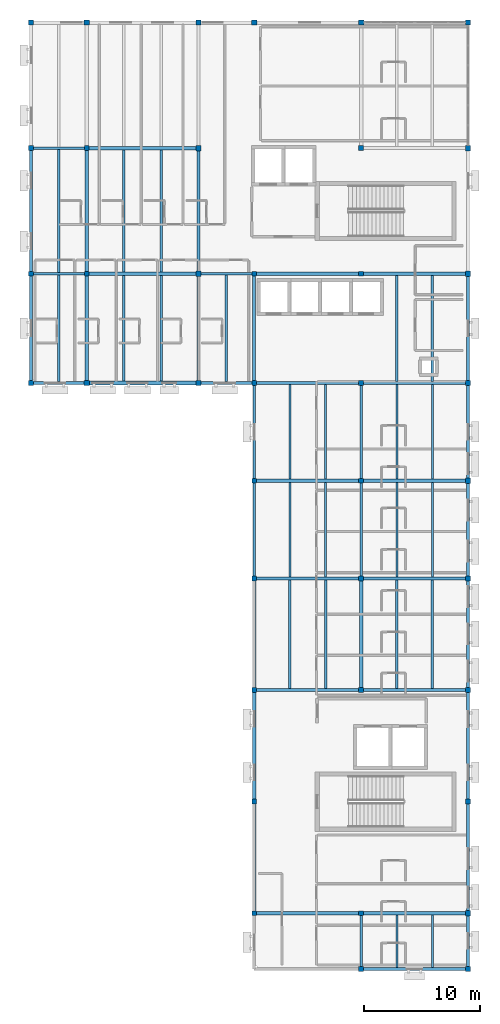
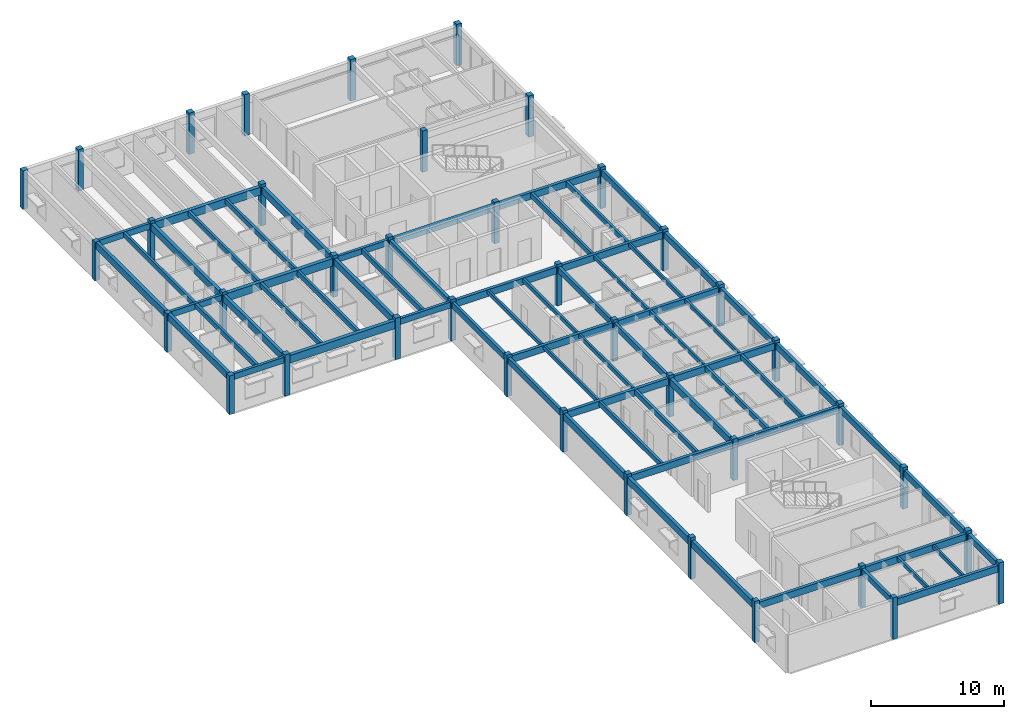
# One storey, part 1 of 14: 67 beams, 39 columns.
"""IFC4 building model written with IfcOpenShell, lengths in metres."""

import ifcopenshell
import ifcopenshell.guid

model = None  # the IFC model being written
_history = None  # IfcOwnerHistory: only IFC2X3 demands one
_inside = {}  # id of a spatial element -> (the spatial element, [elements in it])
_under = {}  # id of a project, library or spatial element -> (it, [spatial elements below it])
_declared = {}  # id of a project -> (the project, [libraries it declares])
_typed = {}  # id of a type object -> (the type object, [elements of that type])
_made_of = {}  # id of a material, layer set ... -> (it, [elements and type objects made of it])


def new_model(schema):
    """Start an empty IFC model of exactly this schema.

    Asked for "IFC4X3", IfcOpenShell would pick the latest addendum, in which some entities
    have other attributes; the version numbers below select the first issue.
    IFC2X3 requires an IfcOwnerHistory on every rooted entity: one is made here for all.
    """
    global model, _history
    if schema == "IFC4X3":
        model = ifcopenshell.file(schema_version=(4, 3, 0, 0))
    else:
        model = ifcopenshell.file(schema=schema)
    _inside.clear()
    _under.clear()
    _declared.clear()
    _typed.clear()
    _made_of.clear()
    _history = None
    if model.schema == "IFC2X3":
        org = make("IfcOrganization", Name="unknown")
        user = make(
            "IfcPersonAndOrganization",
            ThePerson=make("IfcPerson", FamilyName="unknown"),
            TheOrganization=org,
        )
        app = make(
            "IfcApplication",
            ApplicationDeveloper=org,
            Version="unknown",
            ApplicationFullName="unknown",
            ApplicationIdentifier="unknown",
        )
        _history = make(
            "IfcOwnerHistory",
            OwningUser=user,
            OwningApplication=app,
            ChangeAction="ADDED",
            CreationDate=0,
        )
    return model


def make(cls, **values):
    """One entity of the class cls with the attributes given. An attribute that is None is left unset."""
    return model.create_entity(
        cls, **{name: value for name, value in values.items() if value is not None}
    )


def rooted(cls, **values):
    """An entity with a GlobalId (a new one), such as an element, a storey or a relation."""
    return make(cls, GlobalId=ifcopenshell.guid.new(), OwnerHistory=_history, **values)


def si_unit(unit_type, name, prefix=None):
    """IfcSIUnit, for example si_unit("LENGTHUNIT", "METRE", prefix="MILLI")."""
    return make("IfcSIUnit", UnitType=unit_type, Prefix=prefix, Name=name)


def assignment(units):
    """IfcUnitAssignment: the units of a project."""
    return None if units is None else make("IfcUnitAssignment", Units=units)


def point(xyz):
    """IfcCartesianPoint."""
    return None if xyz is None else make("IfcCartesianPoint", Coordinates=xyz)


def direction(xyz):
    """IfcDirection."""
    return None if xyz is None else make("IfcDirection", DirectionRatios=xyz)


def frame(location, z_axis=None, x_axis=None):
    """IfcAxis2Placement3D, a coordinate frame: its origin and axes. An axis left out is left unset."""
    return make(
        "IfcAxis2Placement3D",
        Location=point(location),
        Axis=direction(z_axis),
        RefDirection=direction(x_axis),
    )


def frame_2d(location, x_axis=None):
    """IfcAxis2Placement2D, a coordinate frame in the plane: its origin and x axis."""
    return make(
        "IfcAxis2Placement2D", Location=point(location), RefDirection=direction(x_axis)
    )


def origin():
    """The frame at (0, 0, 0) with its axes left unset."""
    return frame((0.0, 0.0, 0.0))


def origin_2d():
    """The frame at (0, 0) in the plane with its x axis left unset."""
    return frame_2d((0.0, 0.0))


def place(relative_to, where):
    """IfcLocalPlacement: puts the frame where relative to a parent placement (None: the world)."""
    return make(
        "IfcLocalPlacement", PlacementRelTo=relative_to, RelativePlacement=where
    )


def context(
    kind, dimensions, precision=None, world=None, true_north=None, identifier=None
):
    """IfcGeometricRepresentationContext, for example the 3D "Model" context."""
    return make(
        "IfcGeometricRepresentationContext",
        ContextIdentifier=identifier,
        ContextType=kind,
        CoordinateSpaceDimension=dimensions,
        Precision=precision,
        WorldCoordinateSystem=world,
        TrueNorth=true_north,
    )


def subcontext(parent, identifier, kind, view, scale=None):
    """IfcGeometricRepresentationSubContext, for example "Body" below "Model"."""
    return make(
        "IfcGeometricRepresentationSubContext",
        ContextIdentifier=identifier,
        ContextType=kind,
        ParentContext=parent,
        TargetScale=scale,
        TargetView=view,
    )


def project(units=None, contexts=None):
    """IfcProject with its units and contexts."""
    return rooted(
        "IfcProject",
        Name="project",
        RepresentationContexts=contexts,
        UnitsInContext=assignment(units),
    )


def spatial(cls, under=None, at=None, **own):
    """A site, building, storey or space (cls), placed at a placement, below another one or the project."""
    s = rooted(cls, ObjectPlacement=at, **own)
    if under is not None:
        _under.setdefault(under.id(), (under, []))[1].append(s)
    return s


def profile(cls, at=None, kind="AREA", **sizes):
    """A parametric profile (cls). Its sizes go by their IFC names, for example OverallWidth=200.0."""
    return make(cls, ProfileType=kind, Position=at, **sizes)


def rectangle(**sizes):
    """IfcRectangleProfileDef."""
    return profile("IfcRectangleProfileDef", **sizes)


def extrude(swept, where, along, depth):
    """IfcExtrudedAreaSolid: the profile swept, set in the frame where, extruded along a direction by depth."""
    return make(
        "IfcExtrudedAreaSolid",
        SweptArea=swept,
        Position=where,
        ExtrudedDirection=direction(along),
        Depth=depth,
    )


def shape(context_of_items, identifier, shape_type, items):
    """IfcShapeRepresentation: the items that make up one representation, for example the "Body"."""
    return make(
        "IfcShapeRepresentation",
        ContextOfItems=context_of_items,
        RepresentationIdentifier=identifier,
        RepresentationType=shape_type,
        Items=items,
    )


def material(Name=None, Category=None):
    """IfcMaterial."""
    return make("IfcMaterial", Name=Name, Category=Category)


def material_profile(
    of_material, cross_section, Name=None, Category=None, Priority=None
):
    """IfcMaterialProfile: a cross section and its material."""
    return make(
        "IfcMaterialProfile",
        Name=Name,
        Material=of_material,
        Profile=cross_section,
        Priority=Priority,
        Category=Category,
    )


def profile_set(profiles, Name=None, composite=None):
    """IfcMaterialProfileSet."""
    return make(
        "IfcMaterialProfileSet",
        Name=Name,
        MaterialProfiles=profiles,
        CompositeProfile=composite,
    )


def made_of(thing, what):
    """Note that an element or type object is made of a material, layer set ...; save() writes the relation."""
    if what is not None:
        _made_of.setdefault(what.id(), (what, []))[1].append(thing)
    return thing


def type_object(cls, material=None, **own):
    """A type object (cls), such as IfcWallType, which elements share."""
    return made_of(rooted(cls, **own), material)


def element(
    cls,
    number,
    at=None,
    inside=None,
    cuts=None,
    type_object=None,
    material=None,
    context=None,
    identifier="Body",
    shape_type=None,
    held_by="IfcProductDefinitionShape",
    body=None,
    shapes=None,
    **own,
):
    """One element of the class cls, such as IfcWall. Its Tag is "e" and its number.

    at: its placement. inside: the storey or other place that contains it. cuts: it is an
    opening in that element (IfcRelVoidsElement). A single representation is given by context,
    identifier, shape_type and body (its items); several are given by shapes. held_by: the class
    of the entity that holds the representations. save() writes the other relations.
    """
    e = rooted(cls, Tag="e%d" % number, ObjectPlacement=at, **own)
    if body is not None:
        shapes = [shape(context, identifier, shape_type, body)]
    if shapes is not None:
        e.Representation = make(held_by, Representations=shapes)
    if inside is not None:
        _inside.setdefault(inside.id(), (inside, []))[1].append(e)
    if cuts is not None:
        rooted(
            "IfcRelVoidsElement", RelatingBuildingElement=cuts, RelatedOpeningElement=e
        )
    if type_object is not None:
        _typed.setdefault(type_object.id(), (type_object, []))[1].append(e)
    return made_of(e, material)


def aggregate(whole, parts):
    """IfcRelAggregates: a whole, such as a stair, and the parts it consists of."""
    return rooted("IfcRelAggregates", RelatingObject=whole, RelatedObjects=parts)


def save(model, path):
    """Write the relations noted so far, then the file.

    IfcRelAggregates (storeys below a building ...), IfcRelContainedInSpatialStructure (elements
    in a storey), IfcRelDefinesByType, IfcRelAssociatesMaterial and IfcRelDeclares: one each for
    every whole, place, type object, material and project.
    """
    for whole, parts in _under.values():
        aggregate(whole, parts)
    for where, things in _inside.values():
        rooted(
            "IfcRelContainedInSpatialStructure",
            RelatedElements=things,
            RelatingStructure=where,
        )
    for kind, things in _typed.values():
        rooted("IfcRelDefinesByType", RelatedObjects=things, RelatingType=kind)
    for what, things in _made_of.values():
        rooted("IfcRelAssociatesMaterial", RelatedObjects=things, RelatingMaterial=what)
    for by, libraries in _declared.values():
        rooted("IfcRelDeclares", RelatingContext=by, RelatedDefinitions=libraries)
    model.write(path)


model = new_model("IFC4")

# Units and contexts
model_context = context("Model", 3, precision=1e-05, world=origin(), true_north=direction((0.0, 1.0)))
body_context = subcontext(model_context, "Body", "Model", "MODEL_VIEW")
ifc_project = project(units=[si_unit("LENGTHUNIT", "METRE"), si_unit("AREAUNIT", "SQUARE_METRE"), si_unit("VOLUMEUNIT", "CUBIC_METRE"), si_unit("PLANEANGLEUNIT", "RADIAN"), si_unit("MASSUNIT", "GRAM", prefix="KILO")], contexts=[model_context])

# Site, building, storey
site_placement = place(None, origin())
site = spatial("IfcSite", under=ifc_project, at=site_placement, CompositionType="ELEMENT")
building_placement = place(site_placement, origin())
building = spatial("IfcBuilding", under=site, at=building_placement, Name="Veldera Park Congress Hotel", CompositionType="ELEMENT")
storey_placement = place(building_placement, frame((0.0, 0.0, 42.800048828125)))
storey = spatial("IfcBuildingStorey", under=building, at=storey_placement, Name="L10", CompositionType="ELEMENT", Elevation=42.800048828125)

# Columns
ifc_material = material(Name="Glulam GL28h (NDS 24F-V4)", Category="wood")
ifc_material_profile_1 = material_profile(ifc_material, rectangle(XDim=0.419921875, YDim=0.419921875, at=origin_2d()), Name="GL28h 420x420")
ifc_profile_set_1 = profile_set([ifc_material_profile_1], Name="Glulam GL28h (NDS 24F-V4)")
column_type_1 = type_object("IfcColumnType", Name="COL-GL42", PredefinedType="COLUMN", material=ifc_profile_set_1)
for number, where, z_axis, x_axis, name in (
    (1, (74.800048828125, -23.39990234375, 0.0), (0.0, 0.0, 1.0), (1.0, 0.0, 0.0), "L10 Column COL-GL42 (74.8,-23.4)"),
    (2, (74.800048828125, -18.60009765625, 0.0), (0.0, 0.0, 1.0), (1.0, 0.0, 0.0), "L10 Column COL-GL42 (74.8,-18.6)"),
    (3, (74.800048828125, 0.60009765625, 0.0), (0.0, 0.0, 1.0), (1.0, 0.0, 0.0), "L10 Column COL-GL42 (74.8,0.6)"),
    (4, (74.800048828125, 10.199951171875, 0.0), (0.0, 0.0, 1.0), (1.0, 0.0, 0.0), "L10 Column COL-GL42 (74.8,10.2)"),
    (5, (74.800048828125, 18.60009765625, 0.0), (0.0, 0.0, 1.0), (1.0, 0.0, 0.0), "L10 Column COL-GL42 (74.8,18.6)"),
    (6, (74.800048828125, 27.0, 0.0), (0.0, 0.0, 1.0), (1.0, 0.0, 0.0), "L10 Column COL-GL42 (74.8,27.0)"),
    (7, (74.800048828125, 36.39990234375, 0.0), (0.0, 0.0, 1.0), (1.0, 0.0, 0.0), "L10 Column COL-GL42 (74.8,36.4)"),
    (8, (74.800048828125, 47.199951171875, 0.0), (0.0, 0.0, 1.0), (1.0, 0.0, 0.0), "L10 Column COL-GL42 (74.8,47.2)"),
    (9, (65.60009765625, -18.60009765625, 0.0), (0.0, 0.0, 1.0), (1.0, 0.0, 0.0), "L10 Column COL-GL42 (65.6,-18.6)"),
    (10, (65.60009765625, -9.0, 0.0), (0.0, 0.0, 1.0), (1.0, 0.0, 0.0), "L10 Column COL-GL42 (65.6,-9.0)"),
    (11, (65.60009765625, 0.60009765625, 0.0), (0.0, 0.0, 1.0), (1.0, 0.0, 0.0), "L10 Column COL-GL42 (65.6,0.6)"),
    (12, (65.60009765625, 10.199951171875, 0.0), (0.0, 0.0, 1.0), (1.0, 0.0, 0.0), "L10 Column COL-GL42 (65.6,10.2)"),
    (13, (65.60009765625, 18.60009765625, 0.0), (0.0, 0.0, 1.0), (1.0, 0.0, 0.0), "L10 Column COL-GL42 (65.6,18.6)"),
    (14, (65.60009765625, 27.0, 0.0), (0.0, 0.0, 1.0), (1.0, 0.0, 0.0), "L10 Column COL-GL42 (65.6,27.0)"),
    (15, (65.60009765625, 36.39990234375, 0.0), (0.0, 0.0, 1.0), (1.0, 0.0, 0.0), "L10 Column COL-GL42 (65.6,36.4)"),
):
    element("IfcColumn", number, at=place(storey_placement, frame(where, z_axis=z_axis, x_axis=x_axis)), inside=storey, type_object=column_type_1, Name=name, PredefinedType="COLUMN", context=body_context, shape_type="SweptSolid", body=[
        extrude(rectangle(XDim=0.419921875, YDim=0.419921875, at=origin_2d()), origin(), (0.0, 0.0, 1.0), 3.800048828125),
    ])
for number, where, z_axis, x_axis, name in (
    (16, (46.39990234375, 36.39990234375, 0.0), (0.0, 0.0, 1.0), (1.0, 0.0, 0.0), "L10 Column COL-GL42 (46.4,36.4)"),
    (17, (46.39990234375, 47.199951171875, 0.0), (0.0, 0.0, 1.0), (1.0, 0.0, 0.0), "L10 Column COL-GL42 (46.4,47.2)"),
):
    element("IfcColumn", number, at=place(storey_placement, frame(where, z_axis=z_axis, x_axis=x_axis)), inside=storey, type_object=column_type_1, Name=name, PredefinedType="COLUMN", context=body_context, shape_type="SweptSolid", body=[
        extrude(rectangle(XDim=0.419921875, YDim=0.419921875, at=origin_2d()), origin(), (0.0, 0.0, 1.0), 3.5400390625),
    ])
for number, where, z_axis, x_axis, name in (
    (18, (51.199951171875, 36.39990234375, 0.0), (0.0, 0.0, 1.0), (1.0, 0.0, 0.0), "L10 Column COL-GL42 (51.2,36.4)"),
    (19, (51.199951171875, 47.199951171875, 0.0), (0.0, 0.0, 1.0), (1.0, 0.0, 0.0), "L10 Column COL-GL42 (51.2,47.2)"),
):
    element("IfcColumn", number, at=place(storey_placement, frame(where, z_axis=z_axis, x_axis=x_axis)), inside=storey, type_object=column_type_1, Name=name, PredefinedType="COLUMN", context=body_context, shape_type="SweptSolid", body=[
        extrude(rectangle(XDim=0.419921875, YDim=0.419921875, at=origin_2d()), origin(), (0.0, 0.0, 1.0), 3.800048828125),
    ])
ifc_material_profile_2 = material_profile(ifc_material, rectangle(XDim=0.449951171875, YDim=0.449951171875, at=origin_2d()), Name="GL28h 450x450")
ifc_profile_set_2 = profile_set([ifc_material_profile_2], Name="Glulam GL28h (NDS 24F-V4)")
column_type_2 = type_object("IfcColumnType", Name="COL-GL42E", PredefinedType="COLUMN", material=ifc_profile_set_2)
for number, where, z_axis, x_axis, name in (
    (20, (60.800048828125, 27.0, 0.0), (0.0, 0.0, 1.0), (1.0, 0.0, 0.0), "L10 Column COL-GL42E (60.8,27.0)"),
    (21, (60.800048828125, 36.39990234375, 0.0), (0.0, 0.0, 1.0), (1.0, 0.0, 0.0), "L10 Column COL-GL42E (60.8,36.4)"),
    (22, (60.800048828125, 47.199951171875, 0.0), (0.0, 0.0, 1.0), (1.0, 0.0, 0.0), "L10 Column COL-GL42E (60.8,47.2)"),
    (23, (60.800048828125, 58.0, 0.0), (0.0, 0.0, 1.0), (1.0, 0.0, 0.0), "L10 Column COL-GL42E (60.8,58.0)"),
    (24, (74.800048828125, 58.0, 0.0), (0.0, 0.0, 1.0), (1.0, 0.0, 0.0), "L10 Column COL-GL42E (74.8,58.0)"),
    (25, (84.0, -23.39990234375, 0.0), (0.0, 0.0, 1.0), (1.0, 0.0, 0.0), "L10 Column COL-GL42E (84.0,-23.4)"),
    (26, (84.0, -18.60009765625, 0.0), (0.0, 0.0, 1.0), (1.0, 0.0, 0.0), "L10 Column COL-GL42E (84.0,-18.6)"),
    (27, (84.0, -9.0, 0.0), (0.0, 0.0, 1.0), (1.0, 0.0, 0.0), "L10 Column COL-GL42E (84.0,-9.0)"),
    (28, (84.0, 0.60009765625, 0.0), (0.0, 0.0, 1.0), (1.0, 0.0, 0.0), "L10 Column COL-GL42E (84.0,0.6)"),
    (29, (84.0, 10.199951171875, 0.0), (0.0, 0.0, 1.0), (1.0, 0.0, 0.0), "L10 Column COL-GL42E (84.0,10.2)"),
    (30, (84.0, 18.60009765625, 0.0), (0.0, 0.0, 1.0), (1.0, 0.0, 0.0), "L10 Column COL-GL42E (84.0,18.6)"),
    (31, (84.0, 27.0, 0.0), (0.0, 0.0, 1.0), (1.0, 0.0, 0.0), "L10 Column COL-GL42E (84.0,27.0)"),
    (32, (84.0, 36.39990234375, 0.0), (0.0, 0.0, 1.0), (1.0, 0.0, 0.0), "L10 Column COL-GL42E (84.0,36.4)"),
    (33, (84.0, 47.199951171875, 0.0), (0.0, 0.0, 1.0), (1.0, 0.0, 0.0), "L10 Column COL-GL42E (84.0,47.2)"),
    (34, (84.0, 58.0, 0.0), (0.0, 0.0, 1.0), (1.0, 0.0, 0.0), "L10 Column COL-GL42E (84.0,58.0)"),
    (35, (65.60009765625, 58.0, 0.0), (0.0, 0.0, 1.0), (1.0, 0.0, 0.0), "L10 Column COL-GL42E (65.6,58.0)"),
):
    element("IfcColumn", number, at=place(storey_placement, frame(where, z_axis=z_axis, x_axis=x_axis)), inside=storey, type_object=column_type_2, Name=name, PredefinedType="COLUMN", context=body_context, shape_type="SweptSolid", body=[
        extrude(rectangle(XDim=0.449951171875, YDim=0.449951171875, at=origin_2d()), origin(), (0.0, 0.0, 1.0), 3.800048828125),
    ])
for number, where, z_axis, x_axis, name in (
    (36, (46.39990234375, 27.0, 0.0), (0.0, 0.0, 1.0), (1.0, 0.0, 0.0), "L10 Column COL-GL42E (46.4,27.0)"),
    (37, (46.39990234375, 58.0, 0.0), (0.0, 0.0, 1.0), (1.0, 0.0, 0.0), "L10 Column COL-GL42E (46.4,58.0)"),
):
    element("IfcColumn", number, at=place(storey_placement, frame(where, z_axis=z_axis, x_axis=x_axis)), inside=storey, type_object=column_type_2, Name=name, PredefinedType="COLUMN", context=body_context, shape_type="SweptSolid", body=[
        extrude(rectangle(XDim=0.449951171875, YDim=0.449951171875, at=origin_2d()), origin(), (0.0, 0.0, 1.0), 3.5400390625),
    ])
for number, where, z_axis, x_axis, name in (
    (38, (51.199951171875, 27.0, 0.0), (0.0, 0.0, 1.0), (1.0, 0.0, 0.0), "L10 Column COL-GL42E (51.2,27.0)"),
    (39, (51.199951171875, 58.0, 0.0), (0.0, 0.0, 1.0), (1.0, 0.0, 0.0), "L10 Column COL-GL42E (51.2,58.0)"),
):
    element("IfcColumn", number, at=place(storey_placement, frame(where, z_axis=z_axis, x_axis=x_axis)), inside=storey, type_object=column_type_2, Name=name, PredefinedType="COLUMN", context=body_context, shape_type="SweptSolid", body=[
        extrude(rectangle(XDim=0.449951171875, YDim=0.449951171875, at=origin_2d()), origin(), (0.0, 0.0, 1.0), 3.800048828125),
    ])

# Beams
ifc_material_profile_3 = material_profile(ifc_material, rectangle(XDim=0.239990234375, YDim=0.5400390625, at=origin_2d()), Name="GL28h 240x540")
ifc_profile_set_3 = profile_set([ifc_material_profile_3], Name="Glulam GL28h (NDS 24F-V4)")
beam_type_1 = type_object("IfcBeamType", Name="BM-GL540", PredefinedType="BEAM", material=ifc_profile_set_3)
beam_1_placement = place(storey_placement, frame((46.625, 27.0, 3.27001953125), z_axis=(1.0, 0.0, 0.0), x_axis=(0.0, 1.0, 0.0)))
element("IfcBeam", 40, at=beam_1_placement, inside=storey, type_object=beam_type_1, Name="L10 Girder BM-GL540 1922", PredefinedType="BEAM", context=body_context, shape_type="SweptSolid", body=[
    extrude(rectangle(XDim=0.239990234375, YDim=0.5400390625, at=origin_2d()), origin(), (0.0, 0.0, 1.0), 4.35009765625),
])
beam_2_placement = place(storey_placement, frame((61.02490234375, 27.0, 3.27001953125), z_axis=(1.0, 0.0, 0.0), x_axis=(0.0, 1.0, 0.0)))
element("IfcBeam", 41, at=beam_2_placement, inside=storey, type_object=beam_type_1, Name="L10 Girder BM-GL540 1924", PredefinedType="BEAM", context=body_context, shape_type="SweptSolid", body=[
    extrude(rectangle(XDim=0.239990234375, YDim=0.5400390625, at=origin_2d()), origin(), (0.0, 0.0, 1.0), 4.364990234375),
])
beam_3_placement = place(storey_placement, frame((46.610107421875, 36.39990234375, 3.27001953125), z_axis=(1.0, 0.0, 0.0), x_axis=(0.0, 1.0, 0.0)))
element("IfcBeam", 42, at=beam_3_placement, inside=storey, type_object=beam_type_1, Name="L10 Girder BM-GL540 1927", PredefinedType="BEAM", context=body_context, shape_type="SweptSolid", body=[
    extrude(rectangle(XDim=0.239990234375, YDim=0.5400390625, at=origin_2d()), origin(), (0.0, 0.0, 1.0), 4.3798828125),
])
beam_4_placement = place(storey_placement, frame((61.02490234375, 36.39990234375, 3.27001953125), z_axis=(1.0, 0.0, 0.0), x_axis=(0.0, 1.0, 0.0)))
element("IfcBeam", 43, at=beam_4_placement, inside=storey, type_object=beam_type_1, Name="L10 Girder BM-GL540 1929", PredefinedType="BEAM", context=body_context, shape_type="SweptSolid", body=[
    extrude(rectangle(XDim=0.239990234375, YDim=0.5400390625, at=origin_2d()), origin(), (0.0, 0.0, 1.0), 4.364990234375),
])
beam_5_placement = place(storey_placement, frame((46.610107421875, 47.199951171875, 3.27001953125), z_axis=(1.0, 0.0, 0.0), x_axis=(0.0, 1.0, 0.0)))
element("IfcBeam", 44, at=beam_5_placement, inside=storey, type_object=beam_type_1, Name="L10 Girder BM-GL540 1932", PredefinedType="BEAM", context=body_context, shape_type="SweptSolid", body=[
    extrude(rectangle(XDim=0.239990234375, YDim=0.5400390625, at=origin_2d()), origin(), (0.0, 0.0, 1.0), 4.3798828125),
])
for number, where, z_axis, x_axis, name in (
    (45, (65.60009765625, 10.409912109375, 3.27001953125), (0.0, 1.0, 0.0), (-1.0, 0.0, 0.0), "L10 Girder BM-GL540 1952"),
    (46, (65.60009765625, 18.81005859375, 3.27001953125), (0.0, 1.0, 0.0), (-1.0, 0.0, 0.0), "L10 Girder BM-GL540 1953"),
):
    element("IfcBeam", number, at=place(storey_placement, frame(where, z_axis=z_axis, x_axis=x_axis)), inside=storey, type_object=beam_type_1, Name=name, PredefinedType="BEAM", context=body_context, shape_type="SweptSolid", body=[
        extrude(rectangle(XDim=0.239990234375, YDim=0.5400390625, at=origin_2d()), origin(), (0.0, 0.0, 1.0), 7.97998046875),
    ])
beam_6_placement = place(storey_placement, frame((74.800048828125, -23.18994140625, 3.27001953125), z_axis=(0.0, 1.0, 0.0), x_axis=(-1.0, 0.0, 0.0)))
element("IfcBeam", 47, at=beam_6_placement, inside=storey, type_object=beam_type_1, Name="L10 Girder BM-GL540 1955", PredefinedType="BEAM", context=body_context, shape_type="SweptSolid", body=[
    extrude(rectangle(XDim=0.239990234375, YDim=0.5400390625, at=origin_2d()), origin(), (0.0, 0.0, 1.0), 4.3798828125),
])
for number, where, z_axis, x_axis, name in (
    (48, (74.800048828125, 10.409912109375, 3.27001953125), (0.0, 1.0, 0.0), (-1.0, 0.0, 0.0), "L10 Girder BM-GL540 1957"),
    (49, (74.800048828125, 18.81005859375, 3.27001953125), (0.0, 1.0, 0.0), (-1.0, 0.0, 0.0), "L10 Girder BM-GL540 1958"),
):
    element("IfcBeam", number, at=place(storey_placement, frame(where, z_axis=z_axis, x_axis=x_axis)), inside=storey, type_object=beam_type_1, Name=name, PredefinedType="BEAM", context=body_context, shape_type="SweptSolid", body=[
        extrude(rectangle(XDim=0.239990234375, YDim=0.5400390625, at=origin_2d()), origin(), (0.0, 0.0, 1.0), 7.97998046875),
    ])
ifc_material_profile_4 = material_profile(ifc_material, rectangle(XDim=0.264892578125, YDim=0.580078125, at=origin_2d()), Name="GL28h 265x580")
ifc_profile_set_4 = profile_set([ifc_material_profile_4], Name="Glulam GL28h (NDS 24F-V4)")
beam_type_2 = type_object("IfcBeamType", Name="BM-GL540E", PredefinedType="BEAM", material=ifc_profile_set_4)
beam_7_placement = place(storey_placement, frame((84.0, -23.175048828125, 3.25), z_axis=(0.0, 1.0, 0.0), x_axis=(-1.0, 0.0, 0.0)))
element("IfcBeam", 50, at=beam_7_placement, inside=storey, type_object=beam_type_2, Name="L10 Girder BM-GL540E 1960", PredefinedType="BEAM", context=body_context, shape_type="SweptSolid", body=[
    extrude(rectangle(XDim=0.264892578125, YDim=0.580078125, at=origin_2d()), origin(), (0.0, 0.0, 1.0), 4.35009765625),
])
for number, where, z_axis, x_axis, name in (
    (51, (84.0, -18.375, 3.25), (0.0, 1.0, 0.0), (-1.0, 0.0, 0.0), "L10 Girder BM-GL540E 1961"),
    (52, (84.0, -8.77490234375, 3.25), (0.0, 1.0, 0.0), (-1.0, 0.0, 0.0), "L10 Girder BM-GL540E 1962"),
):
    element("IfcBeam", number, at=place(storey_placement, frame(where, z_axis=z_axis, x_axis=x_axis)), inside=storey, type_object=beam_type_2, Name=name, PredefinedType="BEAM", context=body_context, shape_type="SweptSolid", body=[
        extrude(rectangle(XDim=0.264892578125, YDim=0.580078125, at=origin_2d()), origin(), (0.0, 0.0, 1.0), 9.14990234375),
    ])
beam_8_placement = place(storey_placement, frame((84.0, 0.824951171875, 3.25), z_axis=(0.0, 1.0, 0.0), x_axis=(-1.0, 0.0, 0.0)))
element("IfcBeam", 53, at=beam_8_placement, inside=storey, type_object=beam_type_2, Name="L10 Girder BM-GL540E 1963", PredefinedType="BEAM", context=body_context, shape_type="SweptSolid", body=[
    extrude(rectangle(XDim=0.264892578125, YDim=0.580078125, at=origin_2d()), origin(), (0.0, 0.0, 1.0), 9.150146484375),
])
for number, where, z_axis, x_axis, name in (
    (54, (84.0, 10.425048828125, 3.25), (0.0, 1.0, 0.0), (-1.0, 0.0, 0.0), "L10 Girder BM-GL540E 1964"),
    (55, (84.0, 18.824951171875, 3.25), (0.0, 1.0, 0.0), (-1.0, 0.0, 0.0), "L10 Girder BM-GL540E 1965"),
):
    element("IfcBeam", number, at=place(storey_placement, frame(where, z_axis=z_axis, x_axis=x_axis)), inside=storey, type_object=beam_type_2, Name=name, PredefinedType="BEAM", context=body_context, shape_type="SweptSolid", body=[
        extrude(rectangle(XDim=0.264892578125, YDim=0.580078125, at=origin_2d()), origin(), (0.0, 0.0, 1.0), 7.949951171875),
    ])
beam_9_placement = place(storey_placement, frame((84.0, 27.22509765625, 3.25), z_axis=(0.0, 1.0, 0.0), x_axis=(-1.0, 0.0, 0.0)))
element("IfcBeam", 56, at=beam_9_placement, inside=storey, type_object=beam_type_2, Name="L10 Girder BM-GL540E 1966", PredefinedType="BEAM", context=body_context, shape_type="SweptSolid", body=[
    extrude(rectangle(XDim=0.264892578125, YDim=0.580078125, at=origin_2d()), origin(), (0.0, 0.0, 1.0), 8.949951171875),
])
ifc_material_profile_5 = material_profile(ifc_material, rectangle(XDim=0.264892578125, YDim=0.6201171875, at=origin_2d()), Name="GL28h 265x620")
ifc_profile_set_5 = profile_set([ifc_material_profile_5], Name="Glulam GL28h (NDS 24F-V4)")
beam_type_3 = type_object("IfcBeamType", Name="BM-GL620", PredefinedType="BEAM", material=ifc_profile_set_5)
beam_10_placement = place(storey_placement, frame((75.010009765625, -23.39990234375, 3.22998046875), z_axis=(1.0, 0.0, 0.0), x_axis=(0.0, 1.0, 0.0)))
element("IfcBeam", 57, at=beam_10_placement, inside=storey, type_object=beam_type_3, Name="L10 Girder BM-GL620 1913", PredefinedType="BEAM", context=body_context, shape_type="SweptSolid", body=[
    extrude(rectangle(XDim=0.264892578125, YDim=0.6201171875, at=origin_2d()), origin(), (0.0, 0.0, 1.0), 8.764892578125),
])
beam_11_placement = place(storey_placement, frame((65.81005859375, -18.60009765625, 3.22998046875), z_axis=(1.0, 0.0, 0.0), x_axis=(0.0, 1.0, 0.0)))
element("IfcBeam", 58, at=beam_11_placement, inside=storey, type_object=beam_type_3, Name="L10 Girder BM-GL620 1914", PredefinedType="BEAM", context=body_context, shape_type="SweptSolid", body=[
    extrude(rectangle(XDim=0.264892578125, YDim=0.6201171875, at=origin_2d()), origin(), (0.0, 0.0, 1.0), 8.780029296875),
])
beam_12_placement = place(storey_placement, frame((75.010009765625, -18.60009765625, 3.22998046875), z_axis=(1.0, 0.0, 0.0), x_axis=(0.0, 1.0, 0.0)))
element("IfcBeam", 59, at=beam_12_placement, inside=storey, type_object=beam_type_3, Name="L10 Girder BM-GL620 1915", PredefinedType="BEAM", context=body_context, shape_type="SweptSolid", body=[
    extrude(rectangle(XDim=0.264892578125, YDim=0.6201171875, at=origin_2d()), origin(), (0.0, 0.0, 1.0), 8.764892578125),
])
beam_13_placement = place(storey_placement, frame((65.81005859375, 0.60009765625, 3.22998046875), z_axis=(1.0, 0.0, 0.0), x_axis=(0.0, 1.0, 0.0)))
element("IfcBeam", 60, at=beam_13_placement, inside=storey, type_object=beam_type_3, Name="L10 Girder BM-GL620 1916", PredefinedType="BEAM", context=body_context, shape_type="SweptSolid", body=[
    extrude(rectangle(XDim=0.264892578125, YDim=0.6201171875, at=origin_2d()), origin(), (0.0, 0.0, 1.0), 8.780029296875),
])
beam_14_placement = place(storey_placement, frame((75.010009765625, 0.60009765625, 3.22998046875), z_axis=(1.0, 0.0, 0.0), x_axis=(0.0, 1.0, 0.0)))
element("IfcBeam", 61, at=beam_14_placement, inside=storey, type_object=beam_type_3, Name="L10 Girder BM-GL620 1917", PredefinedType="BEAM", context=body_context, shape_type="SweptSolid", body=[
    extrude(rectangle(XDim=0.264892578125, YDim=0.6201171875, at=origin_2d()), origin(), (0.0, 0.0, 1.0), 8.764892578125),
])
beam_15_placement = place(storey_placement, frame((65.81005859375, 10.199951171875, 3.22998046875), z_axis=(1.0, 0.0, 0.0), x_axis=(0.0, 1.0, 0.0)))
element("IfcBeam", 62, at=beam_15_placement, inside=storey, type_object=beam_type_3, Name="L10 Girder BM-GL620 1918", PredefinedType="BEAM", context=body_context, shape_type="SweptSolid", body=[
    extrude(rectangle(XDim=0.264892578125, YDim=0.6201171875, at=origin_2d()), origin(), (0.0, 0.0, 1.0), 8.780029296875),
])
beam_16_placement = place(storey_placement, frame((75.010009765625, 10.199951171875, 3.22998046875), z_axis=(1.0, 0.0, 0.0), x_axis=(0.0, 1.0, 0.0)))
element("IfcBeam", 63, at=beam_16_placement, inside=storey, type_object=beam_type_3, Name="L10 Girder BM-GL620 1919", PredefinedType="BEAM", context=body_context, shape_type="SweptSolid", body=[
    extrude(rectangle(XDim=0.264892578125, YDim=0.6201171875, at=origin_2d()), origin(), (0.0, 0.0, 1.0), 8.764892578125),
])
beam_17_placement = place(storey_placement, frame((65.81005859375, 18.60009765625, 3.22998046875), z_axis=(1.0, 0.0, 0.0), x_axis=(0.0, 1.0, 0.0)))
element("IfcBeam", 64, at=beam_17_placement, inside=storey, type_object=beam_type_3, Name="L10 Girder BM-GL620 1920", PredefinedType="BEAM", context=body_context, shape_type="SweptSolid", body=[
    extrude(rectangle(XDim=0.264892578125, YDim=0.6201171875, at=origin_2d()), origin(), (0.0, 0.0, 1.0), 8.780029296875),
])
beam_18_placement = place(storey_placement, frame((75.010009765625, 18.60009765625, 3.22998046875), z_axis=(1.0, 0.0, 0.0), x_axis=(0.0, 1.0, 0.0)))
element("IfcBeam", 65, at=beam_18_placement, inside=storey, type_object=beam_type_3, Name="L10 Girder BM-GL620 1921", PredefinedType="BEAM", context=body_context, shape_type="SweptSolid", body=[
    extrude(rectangle(XDim=0.264892578125, YDim=0.6201171875, at=origin_2d()), origin(), (0.0, 0.0, 1.0), 8.764892578125),
])
beam_19_placement = place(storey_placement, frame((65.81005859375, 27.0, 3.22998046875), z_axis=(1.0, 0.0, 0.0), x_axis=(0.0, 1.0, 0.0)))
element("IfcBeam", 66, at=beam_19_placement, inside=storey, type_object=beam_type_3, Name="L10 Girder BM-GL620 1925", PredefinedType="BEAM", context=body_context, shape_type="SweptSolid", body=[
    extrude(rectangle(XDim=0.264892578125, YDim=0.6201171875, at=origin_2d()), origin(), (0.0, 0.0, 1.0), 8.780029296875),
])
beam_20_placement = place(storey_placement, frame((75.010009765625, 27.0, 3.22998046875), z_axis=(1.0, 0.0, 0.0), x_axis=(0.0, 1.0, 0.0)))
element("IfcBeam", 67, at=beam_20_placement, inside=storey, type_object=beam_type_3, Name="L10 Girder BM-GL620 1926", PredefinedType="BEAM", context=body_context, shape_type="SweptSolid", body=[
    extrude(rectangle(XDim=0.264892578125, YDim=0.6201171875, at=origin_2d()), origin(), (0.0, 0.0, 1.0), 8.764892578125),
])
beam_21_placement = place(storey_placement, frame((65.81005859375, 36.39990234375, 3.22998046875), z_axis=(1.0, 0.0, 0.0), x_axis=(0.0, 1.0, 0.0)))
element("IfcBeam", 68, at=beam_21_placement, inside=storey, type_object=beam_type_3, Name="L10 Girder BM-GL620 1930", PredefinedType="BEAM", context=body_context, shape_type="SweptSolid", body=[
    extrude(rectangle(XDim=0.264892578125, YDim=0.6201171875, at=origin_2d()), origin(), (0.0, 0.0, 1.0), 8.780029296875),
])
beam_22_placement = place(storey_placement, frame((75.010009765625, 36.39990234375, 3.22998046875), z_axis=(1.0, 0.0, 0.0), x_axis=(0.0, 1.0, 0.0)))
element("IfcBeam", 69, at=beam_22_placement, inside=storey, type_object=beam_type_3, Name="L10 Girder BM-GL620 1931", PredefinedType="BEAM", context=body_context, shape_type="SweptSolid", body=[
    extrude(rectangle(XDim=0.264892578125, YDim=0.6201171875, at=origin_2d()), origin(), (0.0, 0.0, 1.0), 8.764892578125),
])
for number, where, z_axis, x_axis, name in (
    (70, (46.39990234375, 27.22509765625, 3.22998046875), (0.0, 1.0, 0.0), (-1.0, 0.0, 0.0), "L10 Girder BM-GL620 1940"),
    (71, (51.199951171875, 27.22509765625, 3.22998046875), (0.0, 1.0, 0.0), (-1.0, 0.0, 0.0), "L10 Girder BM-GL620 1943"),
):
    element("IfcBeam", number, at=place(storey_placement, frame(where, z_axis=z_axis, x_axis=x_axis)), inside=storey, type_object=beam_type_3, Name=name, PredefinedType="BEAM", context=body_context, shape_type="SweptSolid", body=[
        extrude(rectangle(XDim=0.264892578125, YDim=0.6201171875, at=origin_2d()), origin(), (0.0, 0.0, 1.0), 8.96484375),
    ])
beam_23_placement = place(storey_placement, frame((60.800048828125, 27.22509765625, 3.22998046875), z_axis=(0.0, 1.0, 0.0), x_axis=(-1.0, 0.0, 0.0)))
element("IfcBeam", 72, at=beam_23_placement, inside=storey, type_object=beam_type_3, Name="L10 Girder BM-GL620 1946", PredefinedType="BEAM", context=body_context, shape_type="SweptSolid", body=[
    extrude(rectangle(XDim=0.264892578125, YDim=0.6201171875, at=origin_2d()), origin(), (0.0, 0.0, 1.0), 8.949951171875),
])
beam_24_placement = place(storey_placement, frame((65.60009765625, 27.2099609375, 3.22998046875), z_axis=(0.0, 1.0, 0.0), x_axis=(-1.0, 0.0, 0.0)))
element("IfcBeam", 73, at=beam_24_placement, inside=storey, type_object=beam_type_3, Name="L10 Girder BM-GL620 1954", PredefinedType="BEAM", context=body_context, shape_type="SweptSolid", body=[
    extrude(rectangle(XDim=0.264892578125, YDim=0.6201171875, at=origin_2d()), origin(), (0.0, 0.0, 1.0), 8.97998046875),
])
ifc_material_profile_6 = material_profile(ifc_material, rectangle(XDim=0.280029296875, YDim=0.639892578125, at=origin_2d()), Name="GL28h 280x640")
ifc_profile_set_6 = profile_set([ifc_material_profile_6], Name="Glulam GL28h (NDS 24F-V4)")
beam_type_4 = type_object("IfcBeamType", Name="BM-GL640", PredefinedType="BEAM", material=ifc_profile_set_6)
for number, where, z_axis, x_axis, name in (
    (74, (46.39990234375, 36.610107421875, 3.219970703125), (0.0, 1.0, 0.0), (-1.0, 0.0, 0.0), "L10 Girder BM-GL640 1941"),
    (75, (51.199951171875, 36.610107421875, 3.219970703125), (0.0, 1.0, 0.0), (-1.0, 0.0, 0.0), "L10 Girder BM-GL640 1944"),
):
    element("IfcBeam", number, at=place(storey_placement, frame(where, z_axis=z_axis, x_axis=x_axis)), inside=storey, type_object=beam_type_4, Name=name, PredefinedType="BEAM", context=body_context, shape_type="SweptSolid", body=[
        extrude(rectangle(XDim=0.280029296875, YDim=0.639892578125, at=origin_2d()), origin(), (0.0, 0.0, 1.0), 10.3798828125),
    ])
beam_25_placement = place(storey_placement, frame((60.800048828125, 36.625, 3.219970703125), z_axis=(0.0, 1.0, 0.0), x_axis=(-1.0, 0.0, 0.0)))
element("IfcBeam", 76, at=beam_25_placement, inside=storey, type_object=beam_type_4, Name="L10 Girder BM-GL640 1947", PredefinedType="BEAM", context=body_context, shape_type="SweptSolid", body=[
    extrude(rectangle(XDim=0.280029296875, YDim=0.639892578125, at=origin_2d()), origin(), (0.0, 0.0, 1.0), 10.35009765625),
])
for number, where, z_axis, x_axis, name in (
    (77, (65.60009765625, -18.389892578125, 3.219970703125), (0.0, 1.0, 0.0), (-1.0, 0.0, 0.0), "L10 Girder BM-GL640 1949"),
    (78, (65.60009765625, -8.7900390625, 3.219970703125), (0.0, 1.0, 0.0), (-1.0, 0.0, 0.0), "L10 Girder BM-GL640 1950"),
    (79, (65.60009765625, 0.81005859375, 3.219970703125), (0.0, 1.0, 0.0), (-1.0, 0.0, 0.0), "L10 Girder BM-GL640 1951"),
    (80, (74.800048828125, 0.81005859375, 3.219970703125), (0.0, 1.0, 0.0), (-1.0, 0.0, 0.0), "L10 Girder BM-GL640 1956"),
):
    element("IfcBeam", number, at=place(storey_placement, frame(where, z_axis=z_axis, x_axis=x_axis)), inside=storey, type_object=beam_type_4, Name=name, PredefinedType="BEAM", context=body_context, shape_type="SweptSolid", body=[
        extrude(rectangle(XDim=0.280029296875, YDim=0.639892578125, at=origin_2d()), origin(), (0.0, 0.0, 1.0), 9.179931640625),
    ])
ifc_material_profile_7 = material_profile(ifc_material, rectangle(XDim=0.31494140625, YDim=0.719970703125, at=origin_2d()), Name="GL28h 315x720")
ifc_profile_set_7 = profile_set([ifc_material_profile_7], Name="Glulam GL28h (NDS 24F-V4)")
beam_type_5 = type_object("IfcBeamType", Name="BM-GL720", PredefinedType="BEAM", material=ifc_profile_set_7)
beam_26_placement = place(storey_placement, frame((51.425048828125, 27.0, 3.179931640625), z_axis=(1.0, 0.0, 0.0), x_axis=(0.0, 1.0, 0.0)))
element("IfcBeam", 81, at=beam_26_placement, inside=storey, type_object=beam_type_5, Name="L10 Girder BM-GL720 1923", PredefinedType="BEAM", context=body_context, shape_type="SweptSolid", body=[
    extrude(rectangle(XDim=0.31494140625, YDim=0.719970703125, at=origin_2d()), origin(), (0.0, 0.0, 1.0), 9.14990234375),
])
for number, where, z_axis, x_axis, name in (
    (82, (51.409912109375, 36.39990234375, 3.179931640625), (1.0, 0.0, 0.0), (0.0, 1.0, 0.0), "L10 Girder BM-GL720 1928"),
    (83, (51.409912109375, 47.199951171875, 3.179931640625), (1.0, 0.0, 0.0), (0.0, 1.0, 0.0), "L10 Girder BM-GL720 1933"),
):
    element("IfcBeam", number, at=place(storey_placement, frame(where, z_axis=z_axis, x_axis=x_axis)), inside=storey, type_object=beam_type_5, Name=name, PredefinedType="BEAM", context=body_context, shape_type="SweptSolid", body=[
        extrude(rectangle(XDim=0.31494140625, YDim=0.719970703125, at=origin_2d()), origin(), (0.0, 0.0, 1.0), 9.1650390625),
    ])
ifc_material_profile_8 = material_profile(ifc_material, rectangle(XDim=0.179931640625, YDim=0.360107421875, at=origin_2d()), Name="GL28h 180x360")
ifc_profile_set_8 = profile_set([ifc_material_profile_8], Name="Glulam GL28h (NDS 24F-V4)")
beam_type_6 = type_object("IfcBeamType", Name="JST-GL360", PredefinedType="JOIST", material=ifc_profile_set_8)
for number, where, z_axis, x_axis, name in (
    (84, (77.86669921875, -23.267578125, 3.35986328125), (0.0, 1.0, 0.0), (-1.0, 0.0, 0.0), "L10 Floor Joist JST-GL360 1969"),
    (85, (80.933349609375, -23.267578125, 3.35986328125), (0.0, 1.0, 0.0), (-1.0, 0.0, 0.0), "L10 Floor Joist JST-GL360 1970"),
):
    element("IfcBeam", number, at=place(storey_placement, frame(where, z_axis=z_axis, x_axis=x_axis)), inside=storey, type_object=beam_type_6, Name=name, PredefinedType="JOIST", context=body_context, shape_type="SweptSolid", body=[
        extrude(rectangle(XDim=0.179931640625, YDim=0.360107421875, at=origin_2d()), origin(), (0.0, 0.0, 1.0), 4.53515625),
    ])
for number, where, z_axis, x_axis, name in (
    (86, (68.666748046875, 10.33251953125, 3.35986328125), (0.0, 1.0, 0.0), (-1.0, 0.0, 0.0), "L10 Floor Joist JST-GL360 1975"),
    (87, (71.7333984375, 10.33251953125, 3.35986328125), (0.0, 1.0, 0.0), (-1.0, 0.0, 0.0), "L10 Floor Joist JST-GL360 1976"),
    (88, (77.86669921875, 10.33251953125, 3.35986328125), (0.0, 1.0, 0.0), (-1.0, 0.0, 0.0), "L10 Floor Joist JST-GL360 1977"),
    (89, (80.933349609375, 10.33251953125, 3.35986328125), (0.0, 1.0, 0.0), (-1.0, 0.0, 0.0), "L10 Floor Joist JST-GL360 1978"),
    (90, (68.666748046875, 18.732421875, 3.35986328125), (0.0, 1.0, 0.0), (-1.0, 0.0, 0.0), "L10 Floor Joist JST-GL360 1979"),
    (91, (71.7333984375, 18.732421875, 3.35986328125), (0.0, 1.0, 0.0), (-1.0, 0.0, 0.0), "L10 Floor Joist JST-GL360 1980"),
    (92, (77.86669921875, 18.732421875, 3.35986328125), (0.0, 1.0, 0.0), (-1.0, 0.0, 0.0), "L10 Floor Joist JST-GL360 1981"),
    (93, (80.933349609375, 18.732421875, 3.35986328125), (0.0, 1.0, 0.0), (-1.0, 0.0, 0.0), "L10 Floor Joist JST-GL360 1982"),
):
    element("IfcBeam", number, at=place(storey_placement, frame(where, z_axis=z_axis, x_axis=x_axis)), inside=storey, type_object=beam_type_6, Name=name, PredefinedType="JOIST", context=body_context, shape_type="SweptSolid", body=[
        extrude(rectangle(XDim=0.179931640625, YDim=0.360107421875, at=origin_2d()), origin(), (0.0, 0.0, 1.0), 8.135009765625),
    ])
ifc_material_profile_9 = material_profile(ifc_material, rectangle(XDim=0.215087890625, YDim=0.449951171875, at=origin_2d()), Name="GL28h 215x450")
ifc_profile_set_9 = profile_set([ifc_material_profile_9], Name="Glulam GL28h (NDS 24F-V4)")
beam_type_7 = type_object("IfcBeamType", Name="JST-GL450", PredefinedType="JOIST", material=ifc_profile_set_9)
for number, where, z_axis, x_axis, name in (
    (94, (68.666748046875, 0.732421875, 3.31494140625), (0.0, 1.0, 0.0), (-1.0, 0.0, 0.0), "L10 Floor Joist JST-GL450 1971"),
    (95, (71.7333984375, 0.732421875, 3.31494140625), (0.0, 1.0, 0.0), (-1.0, 0.0, 0.0), "L10 Floor Joist JST-GL450 1972"),
    (96, (77.86669921875, 0.732421875, 3.31494140625), (0.0, 1.0, 0.0), (-1.0, 0.0, 0.0), "L10 Floor Joist JST-GL450 1973"),
    (97, (80.933349609375, 0.732421875, 3.31494140625), (0.0, 1.0, 0.0), (-1.0, 0.0, 0.0), "L10 Floor Joist JST-GL450 1974"),
):
    element("IfcBeam", number, at=place(storey_placement, frame(where, z_axis=z_axis, x_axis=x_axis)), inside=storey, type_object=beam_type_7, Name=name, PredefinedType="JOIST", context=body_context, shape_type="SweptSolid", body=[
        extrude(rectangle(XDim=0.215087890625, YDim=0.449951171875, at=origin_2d()), origin(), (0.0, 0.0, 1.0), 9.3349609375),
    ])
beam_27_placement = place(storey_placement, frame((48.800048828125, 27.1201171875, 3.31494140625), z_axis=(0.0, 1.0, 0.0), x_axis=(-1.0, 0.0, 0.0)))
element("IfcBeam", 98, at=beam_27_placement, inside=storey, type_object=beam_type_7, Name="L10 Floor Joist JST-GL450 1983", PredefinedType="JOIST", context=body_context, shape_type="SweptSolid", body=[
    extrude(rectangle(XDim=0.215087890625, YDim=0.449951171875, at=origin_2d()), origin(), (0.0, 0.0, 1.0), 9.159912109375),
])
for number, where, z_axis, x_axis, name in (
    (99, (54.39990234375, 27.157470703125, 3.31494140625), (0.0, 1.0, 0.0), (-1.0, 0.0, 0.0), "L10 Floor Joist JST-GL450 1984"),
    (100, (57.60009765625, 27.157470703125, 3.31494140625), (0.0, 1.0, 0.0), (-1.0, 0.0, 0.0), "L10 Floor Joist JST-GL450 1985"),
):
    element("IfcBeam", number, at=place(storey_placement, frame(where, z_axis=z_axis, x_axis=x_axis)), inside=storey, type_object=beam_type_7, Name=name, PredefinedType="JOIST", context=body_context, shape_type="SweptSolid", body=[
        extrude(rectangle(XDim=0.215087890625, YDim=0.449951171875, at=origin_2d()), origin(), (0.0, 0.0, 1.0), 9.0849609375),
    ])
beam_28_placement = place(storey_placement, frame((63.199951171875, 27.1201171875, 3.31494140625), z_axis=(0.0, 1.0, 0.0), x_axis=(-1.0, 0.0, 0.0)))
element("IfcBeam", 101, at=beam_28_placement, inside=storey, type_object=beam_type_7, Name="L10 Floor Joist JST-GL450 1986", PredefinedType="JOIST", context=body_context, shape_type="SweptSolid", body=[
    extrude(rectangle(XDim=0.215087890625, YDim=0.449951171875, at=origin_2d()), origin(), (0.0, 0.0, 1.0), 9.159912109375),
])
for number, where, z_axis, x_axis, name in (
    (102, (77.86669921875, 27.132568359375, 3.31494140625), (0.0, 1.0, 0.0), (-1.0, 0.0, 0.0), "L10 Floor Joist JST-GL450 1987"),
    (103, (80.933349609375, 27.132568359375, 3.31494140625), (0.0, 1.0, 0.0), (-1.0, 0.0, 0.0), "L10 Floor Joist JST-GL450 1988"),
):
    element("IfcBeam", number, at=place(storey_placement, frame(where, z_axis=z_axis, x_axis=x_axis)), inside=storey, type_object=beam_type_7, Name=name, PredefinedType="JOIST", context=body_context, shape_type="SweptSolid", body=[
        extrude(rectangle(XDim=0.215087890625, YDim=0.449951171875, at=origin_2d()), origin(), (0.0, 0.0, 1.0), 9.135009765625),
    ])
beam_29_placement = place(storey_placement, frame((48.800048828125, 36.52001953125, 3.31494140625), z_axis=(0.0, 1.0, 0.0), x_axis=(-1.0, 0.0, 0.0)))
element("IfcBeam", 104, at=beam_29_placement, inside=storey, type_object=beam_type_7, Name="L10 Floor Joist JST-GL450 1989", PredefinedType="JOIST", context=body_context, shape_type="SweptSolid", body=[
    extrude(rectangle(XDim=0.215087890625, YDim=0.449951171875, at=origin_2d()), origin(), (0.0, 0.0, 1.0), 10.56005859375),
])
for number, where, z_axis, x_axis, name in (
    (105, (54.39990234375, 36.5576171875, 3.31494140625), (0.0, 1.0, 0.0), (-1.0, 0.0, 0.0), "L10 Floor Joist JST-GL450 1990"),
    (106, (57.60009765625, 36.5576171875, 3.31494140625), (0.0, 1.0, 0.0), (-1.0, 0.0, 0.0), "L10 Floor Joist JST-GL450 1991"),
):
    element("IfcBeam", number, at=place(storey_placement, frame(where, z_axis=z_axis, x_axis=x_axis)), inside=storey, type_object=beam_type_7, Name=name, PredefinedType="JOIST", context=body_context, shape_type="SweptSolid", body=[
        extrude(rectangle(XDim=0.215087890625, YDim=0.449951171875, at=origin_2d()), origin(), (0.0, 0.0, 1.0), 10.48486328125),
    ])

save(model, "model.ifc")
